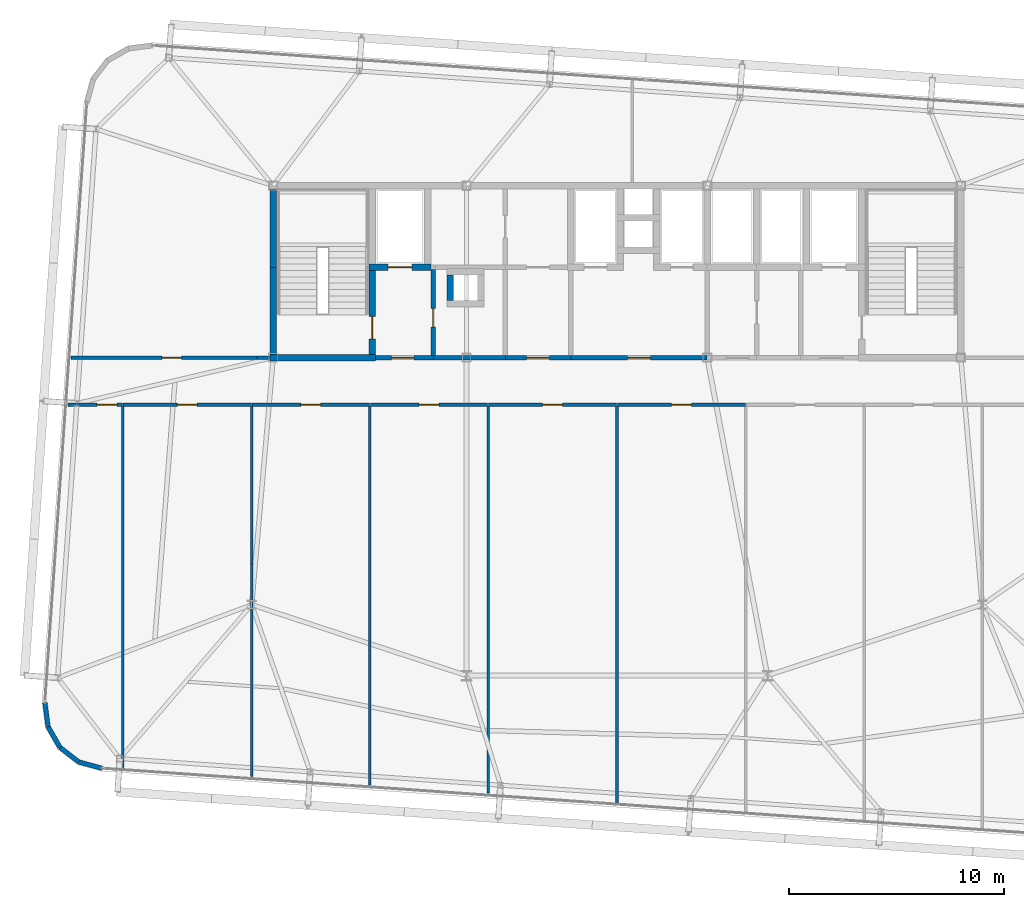
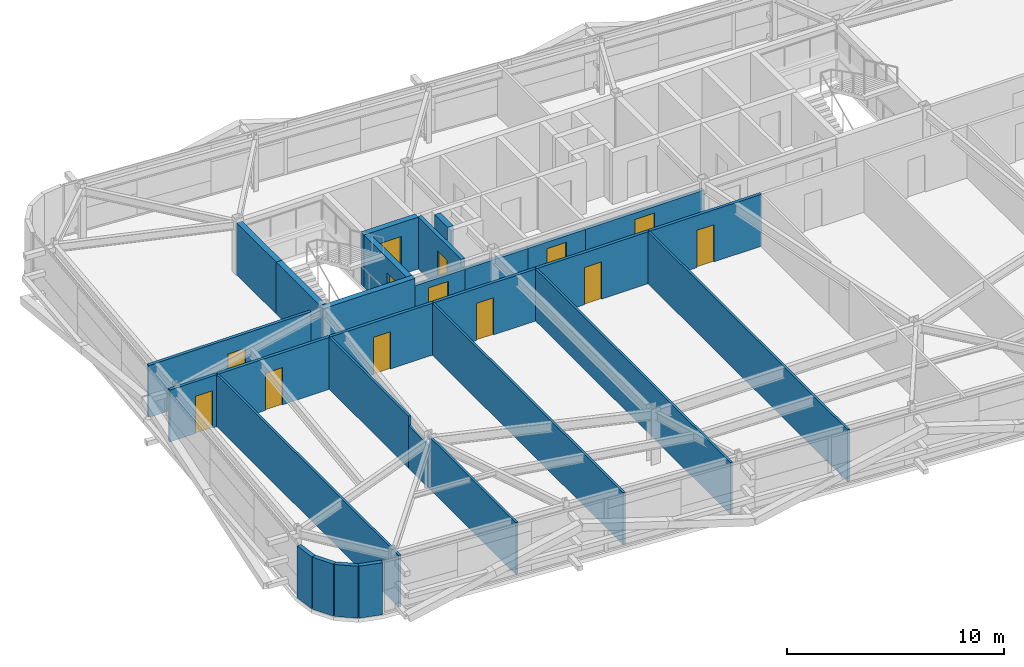
# One storey, part 35 of 39: 30 walls, 13 doors, 13 openings.
"""IFC4 building model written with IfcOpenShell, lengths in metres."""

import ifcopenshell
import ifcopenshell.guid

model = None  # the IFC model being written
_history = None  # IfcOwnerHistory: only IFC2X3 demands one
_inside = {}  # id of a spatial element -> (the spatial element, [elements in it])
_under = {}  # id of a project, library or spatial element -> (it, [spatial elements below it])
_declared = {}  # id of a project -> (the project, [libraries it declares])
_typed = {}  # id of a type object -> (the type object, [elements of that type])
_made_of = {}  # id of a material, layer set ... -> (it, [elements and type objects made of it])


def new_model(schema):
    """Start an empty IFC model of exactly this schema.

    Asked for "IFC4X3", IfcOpenShell would pick the latest addendum, in which some entities
    have other attributes; the version numbers below select the first issue.
    IFC2X3 requires an IfcOwnerHistory on every rooted entity: one is made here for all.
    """
    global model, _history
    if schema == "IFC4X3":
        model = ifcopenshell.file(schema_version=(4, 3, 0, 0))
    else:
        model = ifcopenshell.file(schema=schema)
    _inside.clear()
    _under.clear()
    _declared.clear()
    _typed.clear()
    _made_of.clear()
    _history = None
    if model.schema == "IFC2X3":
        org = make("IfcOrganization", Name="unknown")
        user = make(
            "IfcPersonAndOrganization",
            ThePerson=make("IfcPerson", FamilyName="unknown"),
            TheOrganization=org,
        )
        app = make(
            "IfcApplication",
            ApplicationDeveloper=org,
            Version="unknown",
            ApplicationFullName="unknown",
            ApplicationIdentifier="unknown",
        )
        _history = make(
            "IfcOwnerHistory",
            OwningUser=user,
            OwningApplication=app,
            ChangeAction="ADDED",
            CreationDate=0,
        )
    return model


def make(cls, **values):
    """One entity of the class cls with the attributes given. An attribute that is None is left unset."""
    return model.create_entity(
        cls, **{name: value for name, value in values.items() if value is not None}
    )


def rooted(cls, **values):
    """An entity with a GlobalId (a new one), such as an element, a storey or a relation."""
    return make(cls, GlobalId=ifcopenshell.guid.new(), OwnerHistory=_history, **values)


def si_unit(unit_type, name, prefix=None):
    """IfcSIUnit, for example si_unit("LENGTHUNIT", "METRE", prefix="MILLI")."""
    return make("IfcSIUnit", UnitType=unit_type, Prefix=prefix, Name=name)


def assignment(units):
    """IfcUnitAssignment: the units of a project."""
    return None if units is None else make("IfcUnitAssignment", Units=units)


def point(xyz):
    """IfcCartesianPoint."""
    return None if xyz is None else make("IfcCartesianPoint", Coordinates=xyz)


def direction(xyz):
    """IfcDirection."""
    return None if xyz is None else make("IfcDirection", DirectionRatios=xyz)


def frame(location, z_axis=None, x_axis=None):
    """IfcAxis2Placement3D, a coordinate frame: its origin and axes. An axis left out is left unset."""
    return make(
        "IfcAxis2Placement3D",
        Location=point(location),
        Axis=direction(z_axis),
        RefDirection=direction(x_axis),
    )


def frame_2d(location, x_axis=None):
    """IfcAxis2Placement2D, a coordinate frame in the plane: its origin and x axis."""
    return make(
        "IfcAxis2Placement2D", Location=point(location), RefDirection=direction(x_axis)
    )


def origin():
    """The frame at (0, 0, 0) with its axes left unset."""
    return frame((0.0, 0.0, 0.0))


def place(relative_to, where):
    """IfcLocalPlacement: puts the frame where relative to a parent placement (None: the world)."""
    return make(
        "IfcLocalPlacement", PlacementRelTo=relative_to, RelativePlacement=where
    )


def context(
    kind, dimensions, precision=None, world=None, true_north=None, identifier=None
):
    """IfcGeometricRepresentationContext, for example the 3D "Model" context."""
    return make(
        "IfcGeometricRepresentationContext",
        ContextIdentifier=identifier,
        ContextType=kind,
        CoordinateSpaceDimension=dimensions,
        Precision=precision,
        WorldCoordinateSystem=world,
        TrueNorth=true_north,
    )


def subcontext(parent, identifier, kind, view, scale=None):
    """IfcGeometricRepresentationSubContext, for example "Body" below "Model"."""
    return make(
        "IfcGeometricRepresentationSubContext",
        ContextIdentifier=identifier,
        ContextType=kind,
        ParentContext=parent,
        TargetScale=scale,
        TargetView=view,
    )


def project(units=None, contexts=None):
    """IfcProject with its units and contexts."""
    return rooted(
        "IfcProject",
        Name="project",
        RepresentationContexts=contexts,
        UnitsInContext=assignment(units),
    )


def spatial(cls, under=None, at=None, **own):
    """A site, building, storey or space (cls), placed at a placement, below another one or the project."""
    s = rooted(cls, ObjectPlacement=at, **own)
    if under is not None:
        _under.setdefault(under.id(), (under, []))[1].append(s)
    return s


def profile(cls, at=None, kind="AREA", **sizes):
    """A parametric profile (cls). Its sizes go by their IFC names, for example OverallWidth=200.0."""
    return make(cls, ProfileType=kind, Position=at, **sizes)


def rectangle(**sizes):
    """IfcRectangleProfileDef."""
    return profile("IfcRectangleProfileDef", **sizes)


def extrude(swept, where, along, depth):
    """IfcExtrudedAreaSolid: the profile swept, set in the frame where, extruded along a direction by depth."""
    return make(
        "IfcExtrudedAreaSolid",
        SweptArea=swept,
        Position=where,
        ExtrudedDirection=direction(along),
        Depth=depth,
    )


def shape(context_of_items, identifier, shape_type, items):
    """IfcShapeRepresentation: the items that make up one representation, for example the "Body"."""
    return make(
        "IfcShapeRepresentation",
        ContextOfItems=context_of_items,
        RepresentationIdentifier=identifier,
        RepresentationType=shape_type,
        Items=items,
    )


def source(mapping_origin, context_of_items, identifier, shape_type, items):
    """IfcRepresentationMap: a shape defined once, which mapped items show again and again."""
    return make(
        "IfcRepresentationMap",
        MappingOrigin=mapping_origin,
        MappedRepresentation=shape(context_of_items, identifier, shape_type, items),
    )


def transform(
    local_origin,
    x_axis=None,
    y_axis=None,
    z_axis=None,
    scale=None,
    scale2=None,
    scale3=None,
    uniform=True,
):
    """IfcCartesianTransformationOperator3D, or its non-uniform kind. x_axis, y_axis, z_axis: its Axis1, 2, 3."""
    if uniform:
        return make(
            "IfcCartesianTransformationOperator3D",
            Axis1=direction(x_axis),
            Axis2=direction(y_axis),
            LocalOrigin=point(local_origin),
            Scale=scale,
            Axis3=direction(z_axis),
        )
    return make(
        "IfcCartesianTransformationOperator3DnonUniform",
        Axis1=direction(x_axis),
        Axis2=direction(y_axis),
        LocalOrigin=point(local_origin),
        Scale=scale,
        Axis3=direction(z_axis),
        Scale2=scale2,
        Scale3=scale3,
    )


def mapped(mapping_source, mapping_target):
    """IfcMappedItem: shows the shape of a source again, moved by a transform."""
    return make(
        "IfcMappedItem", MappingSource=mapping_source, MappingTarget=mapping_target
    )


def material(Name=None, Category=None):
    """IfcMaterial."""
    return make("IfcMaterial", Name=Name, Category=Category)


def layer(
    of_material, thickness, ventilated=None, Name=None, Category=None, Priority=None
):
    """IfcMaterialLayer: one layer of a wall or slab, of a material (None: an air gap)."""
    return make(
        "IfcMaterialLayer",
        Material=of_material,
        LayerThickness=thickness,
        IsVentilated=ventilated,
        Name=Name,
        Category=Category,
        Priority=Priority,
    )


def layer_set(layers, Name=None):
    """IfcMaterialLayerSet."""
    return make("IfcMaterialLayerSet", MaterialLayers=layers, LayerSetName=Name)


def made_of(thing, what):
    """Note that an element or type object is made of a material, layer set ...; save() writes the relation."""
    if what is not None:
        _made_of.setdefault(what.id(), (what, []))[1].append(thing)
    return thing


def type_object(cls, material=None, **own):
    """A type object (cls), such as IfcWallType, which elements share."""
    return made_of(rooted(cls, **own), material)


def element(
    cls,
    number,
    at=None,
    inside=None,
    cuts=None,
    type_object=None,
    material=None,
    context=None,
    identifier="Body",
    shape_type=None,
    held_by="IfcProductDefinitionShape",
    body=None,
    shapes=None,
    **own,
):
    """One element of the class cls, such as IfcWall. Its Tag is "e" and its number.

    at: its placement. inside: the storey or other place that contains it. cuts: it is an
    opening in that element (IfcRelVoidsElement). A single representation is given by context,
    identifier, shape_type and body (its items); several are given by shapes. held_by: the class
    of the entity that holds the representations. save() writes the other relations.
    """
    e = rooted(cls, Tag="e%d" % number, ObjectPlacement=at, **own)
    if body is not None:
        shapes = [shape(context, identifier, shape_type, body)]
    if shapes is not None:
        e.Representation = make(held_by, Representations=shapes)
    if inside is not None:
        _inside.setdefault(inside.id(), (inside, []))[1].append(e)
    if cuts is not None:
        rooted(
            "IfcRelVoidsElement", RelatingBuildingElement=cuts, RelatedOpeningElement=e
        )
    if type_object is not None:
        _typed.setdefault(type_object.id(), (type_object, []))[1].append(e)
    return made_of(e, material)


def fill(opening, filler):
    """IfcRelFillsElement: the door or window that sits in an opening."""
    return rooted(
        "IfcRelFillsElement",
        RelatingOpeningElement=opening,
        RelatedBuildingElement=filler,
    )


def aggregate(whole, parts):
    """IfcRelAggregates: a whole, such as a stair, and the parts it consists of."""
    return rooted("IfcRelAggregates", RelatingObject=whole, RelatedObjects=parts)


def save(model, path):
    """Write the relations noted so far, then the file.

    IfcRelAggregates (storeys below a building ...), IfcRelContainedInSpatialStructure (elements
    in a storey), IfcRelDefinesByType, IfcRelAssociatesMaterial and IfcRelDeclares: one each for
    every whole, place, type object, material and project.
    """
    for whole, parts in _under.values():
        aggregate(whole, parts)
    for where, things in _inside.values():
        rooted(
            "IfcRelContainedInSpatialStructure",
            RelatedElements=things,
            RelatingStructure=where,
        )
    for kind, things in _typed.values():
        rooted("IfcRelDefinesByType", RelatedObjects=things, RelatingType=kind)
    for what, things in _made_of.values():
        rooted("IfcRelAssociatesMaterial", RelatedObjects=things, RelatingMaterial=what)
    for by, libraries in _declared.values():
        rooted("IfcRelDeclares", RelatingContext=by, RelatedDefinitions=libraries)
    model.write(path)


model = new_model("IFC4")

# Units and contexts
model_context = context("Model", 3, precision=1e-05, world=origin(), true_north=direction((0.0, 1.0)))
body_context = subcontext(model_context, "Body", "Model", "MODEL_VIEW")
ifc_project = project(units=[si_unit("LENGTHUNIT", "METRE"), si_unit("AREAUNIT", "SQUARE_METRE"), si_unit("VOLUMEUNIT", "CUBIC_METRE"), si_unit("PLANEANGLEUNIT", "RADIAN"), si_unit("MASSUNIT", "GRAM", prefix="KILO")], contexts=[model_context])

# Site, building, storey
site_placement = place(None, origin())
site = spatial("IfcSite", under=ifc_project, at=site_placement, CompositionType="ELEMENT")
building_placement = place(site_placement, origin())
building = spatial("IfcBuilding", under=site, at=building_placement, Name="Taldren Reach Tower", CompositionType="ELEMENT")
storey_placement = place(building_placement, frame((0.0, 0.0, 120.39990234375)))
storey = spatial("IfcBuildingStorey", under=building, at=storey_placement, Name="L36", CompositionType="ELEMENT", Elevation=120.39990234375)

# Walls
ifc_material_1 = material(Name="Pale Champagne Anodised Aluminium Cladding", Category="aluminium")
ifc_layer_1 = layer(ifc_material_1, 0.04, Name="Pale Champagne Anodised Aluminium Cladding", Category="aluminium")
ifc_material_2 = material(Name="Mineral Wool Acoustic Insulation", Category="insulation")
ifc_layer_2 = layer(ifc_material_2, 0.06, Name="Mineral Wool Acoustic Insulation", Category="insulation")
ifc_material_3 = material(Name="Steel Gr 350 (C350L0)", Category="steel")
ifc_layer_3 = layer(ifc_material_3, 0.12, Name="Steel Gr 350 (C350L0)", Category="steel")
ifc_layer_set_1 = layer_set([ifc_layer_1, ifc_layer_2, ifc_layer_3], Name="Pale Champagne Aluminium Cladding and Steel Gr 350 Stud Framing")
wall_type_1 = type_object("IfcWallType", Name="EW-CRN-220", PredefinedType="SOLIDWALL", material=ifc_layer_set_1)
shared_shape_1 = source(origin(), body_context, "Body", "SweptSolid", [
    extrude(rectangle(XDim=1.115966796875, YDim=0.219970703125, at=frame_2d((0.55810546875, 0.0))), origin(), (0.0, 0.0, 1.0), 2.93017578125),
])
for number, where, z_axis, x_axis, name in (
    (1, (8.37646484375, 7.93798828125, 0.0), (0.0, 0.0, 1.0), (0.126242535829, -0.991999406324, 0.0), "Rounded-corner pale-metal facade wall L36-SW1"),
    (2, (8.517333984375, 6.8310546875, 0.0), (0.0, 0.0, 1.0), (0.496138938357, -0.868243142124, 0.0), "Rounded-corner pale-metal facade wall L36-SW2"),
    (3, (9.071044921875, 5.862060546875, 0.0), (0.0, 0.0, 1.0), (0.790716874741, -0.612182018684, 0.0), "Rounded-corner pale-metal facade wall L36-SW3"),
    (4, (9.953369140625, 5.178955078125, 0.0), (0.0, 0.0, 1.0), (0.964804199372, -0.262969307856, 0.0), "Rounded-corner pale-metal facade wall L36-SW4"),
):
    element("IfcWall", number, at=place(storey_placement, frame(where, z_axis=z_axis, x_axis=x_axis)), inside=storey, type_object=wall_type_1, Name=name, PredefinedType="SOLIDWALL", context=body_context, shape_type="MappedRepresentation", body=[
        mapped(shared_shape_1, transform((0.0, 0.0, 0.0), scale=1.0)),
    ])

# Wall, opening, door
ifc_material_4 = material(Name="Fire-Rated Acoustic Plasterboard Stud Wall", Category="gypsum")
ifc_layer_4 = layer(ifc_material_4, 0.159912109375)
ifc_layer_set_2 = layer_set([ifc_layer_4], Name="Fire-Rated Acoustic Plasterboard Stud Wall")
wall_type_2 = type_object("IfcWallType", Name="IW-FIRE-160", PredefinedType="PARTITIONING", material=ifc_layer_set_2)
shared_shape_2 = source(origin(), body_context, "Body", "SweptSolid", [
    extrude(rectangle(XDim=5.95947265625, YDim=0.159912109375, at=frame_2d((2.979736328125, 0.0))), origin(), (0.0, 0.0, 1.0), 2.93017578125),
])
wall_1_placement = place(storey_placement, frame((17.979736328125, 21.800048828125, 0.0), z_axis=(0.0, 0.0, 1.0), x_axis=(-1.0, 0.0, 0.0)))
wall_1 = element("IfcWall", 5, at=wall_1_placement, inside=storey, type_object=wall_type_2, Name="Interior Partition Wall W-INT-L36-047", PredefinedType="PARTITIONING", context=body_context, shape_type="MappedRepresentation", body=[
    mapped(shared_shape_2, transform((0.0, 0.0, 0.0), scale=1.0)),
])
shared_shape_3 = source(origin(), body_context, "Body", "SweptSolid", [
    extrude(rectangle(XDim=0.919921875, YDim=2.10009765625, at=frame_2d((0.4599609375, 1.050048828125))), frame((0.0, 0.08984375, 0.0), z_axis=(0.0, -1.0, 0.0), x_axis=(1.0, 0.0, 0.0)), (0.0, 0.0, 1.0), 0.179931640625),
])
opening_1_placement = place(wall_1_placement, frame((2.519775390625, 0.0, 0.0)))
opening_1 = element("IfcOpeningElement", 6, at=opening_1_placement, cuts=wall_1, Name="Opening DI-092", PredefinedType="OPENING", context=body_context, shape_type="MappedRepresentation", body=[
    mapped(shared_shape_3, transform((0.0, 0.0, 0.0), scale=1.0)),
])
ifc_material_5 = material(Name="Solid-Core Timber Suite Door", Category="wood")
door_type_1 = type_object("IfcDoorType", Name="ID-INT-092", OperationType="NOTDEFINED", PredefinedType="DOOR", material=ifc_material_5)
shared_shape_4 = source(origin(), body_context, "Body", "SweptSolid", [
    extrude(rectangle(XDim=0.919921875, YDim=2.10009765625, at=frame_2d((0.4599609375, 1.050048828125))), frame((0.0, 0.02490234375, 0.0), z_axis=(0.0, -1.0, 0.0), x_axis=(1.0, 0.0, 0.0)), (0.0, 0.0, 1.0), 0.050048828125),
])
door_1_placement = place(opening_1_placement, origin())
door_1 = element("IfcDoor", 7, at=door_1_placement, inside=storey, type_object=door_type_1, Name="Interior Door DR-L36-012", OperationType="SINGLE_SWING_LEFT", OverallHeight=2.10009765625, OverallWidth=0.919921875, PredefinedType="DOOR", context=body_context, shape_type="MappedRepresentation", body=[
    mapped(shared_shape_4, transform((0.0, 0.0, 0.0), scale=1.0)),
])
fill(opening_1, door_1)

wall_2_placement = place(storey_placement, frame((34.979736328125, 21.800048828125, 0.0), z_axis=(0.0, 0.0, 1.0), x_axis=(-1.0, 0.0, 0.0)))
wall_2 = element("IfcWall", 8, at=wall_2_placement, inside=storey, type_object=wall_type_2, Name="Interior Partition Wall W-INT-L36-050", PredefinedType="PARTITIONING", context=body_context, shape_type="MappedRepresentation", body=[
    mapped(shared_shape_2, transform((0.0, 0.0, 0.0), scale=1.0)),
])
opening_2_placement = place(wall_2_placement, frame((2.519775390625, 0.0, 0.0)))
opening_2 = element("IfcOpeningElement", 9, at=opening_2_placement, cuts=wall_2, Name="Opening DI-092", PredefinedType="OPENING", context=body_context, shape_type="MappedRepresentation", body=[
    mapped(shared_shape_3, transform((0.0, 0.0, 0.0), scale=1.0)),
])
door_2_placement = place(opening_2_placement, origin())
door_2 = element("IfcDoor", 10, at=door_2_placement, inside=storey, type_object=door_type_1, Name="Interior Door DR-L36-015", OperationType="SINGLE_SWING_RIGHT", OverallHeight=2.10009765625, OverallWidth=0.919921875, PredefinedType="DOOR", context=body_context, shape_type="MappedRepresentation", body=[
    mapped(shared_shape_4, transform((0.0, 0.0, 0.0), scale=1.0)),
])
fill(opening_2, door_2)

wall_3_placement = place(storey_placement, frame((40.979736328125, 21.800048828125, 0.0), z_axis=(0.0, 0.0, 1.0), x_axis=(-1.0, 0.0, 0.0)))
wall_3 = element("IfcWall", 11, at=wall_3_placement, inside=storey, type_object=wall_type_2, Name="Interior Partition Wall W-INT-L36-051", PredefinedType="PARTITIONING", context=body_context, shape_type="MappedRepresentation", body=[
    mapped(shared_shape_2, transform((0.0, 0.0, 0.0), scale=1.0)),
])
opening_3_placement = place(wall_3_placement, frame((2.519775390625, 0.0, 0.0)))
opening_3 = element("IfcOpeningElement", 12, at=opening_3_placement, cuts=wall_3, Name="Opening DI-092", PredefinedType="OPENING", context=body_context, shape_type="MappedRepresentation", body=[
    mapped(shared_shape_3, transform((0.0, 0.0, 0.0), scale=1.0)),
])
door_3_placement = place(opening_3_placement, origin())
door_3 = element("IfcDoor", 13, at=door_3_placement, inside=storey, type_object=door_type_1, Name="Interior Door DR-L36-016", OperationType="SINGLE_SWING_LEFT", OverallHeight=2.10009765625, OverallWidth=0.919921875, PredefinedType="DOOR", context=body_context, shape_type="MappedRepresentation", body=[
    mapped(shared_shape_4, transform((0.0, 0.0, 0.0), scale=1.0)),
])
fill(opening_3, door_3)

# Walls
ifc_material_6 = material(Name="Concrete S65 (65 MPa)", Category="concrete")
ifc_layer_5 = layer(ifc_material_6, 0.300048828125)
ifc_layer_set_3 = layer_set([ifc_layer_5], Name="Concrete S65 (65 MPa)")
wall_type_3 = type_object("IfcWallType", Name="IW-CORE-300", PredefinedType="SHEAR", material=ifc_layer_set_3)
shared_shape_5 = source(origin(), body_context, "Body", "SweptSolid", [
    extrude(rectangle(XDim=4.050048828125, YDim=0.300048828125, at=frame_2d((2.02490234375, 0.0))), origin(), (0.0, 0.0, 1.0), 2.93017578125),
])
wall_4_placement = place(storey_placement, frame((19.0, 24.14990234375, 0.0), z_axis=(0.0, 0.0, 1.0), x_axis=(0.0, 1.0, 0.0)))
element("IfcWall", 14, at=wall_4_placement, inside=storey, type_object=wall_type_3, Name="Rear Core Shear Wall W-CORE-L36-WEST1", PredefinedType="SHEAR", context=body_context, shape_type="MappedRepresentation", body=[
    mapped(shared_shape_5, transform((0.0, 0.0, 0.0), scale=1.0)),
])
shared_shape_6 = source(origin(), body_context, "Body", "SweptSolid", [
    extrude(rectangle(XDim=3.650146484375, YDim=0.300048828125, at=frame_2d((1.8251953125, 0.0))), origin(), (0.0, 0.0, 1.0), 2.93017578125),
])
wall_5_placement = place(storey_placement, frame((19.0, 28.199951171875, 0.0), z_axis=(0.0, 0.0, 1.0), x_axis=(0.0, 1.0, 0.0)))
element("IfcWall", 15, at=wall_5_placement, inside=storey, type_object=wall_type_3, Name="Rear Core Shear Wall W-CORE-L36-WEST2", PredefinedType="SHEAR", context=body_context, shape_type="MappedRepresentation", body=[
    mapped(shared_shape_6, transform((0.0, 0.0, 0.0), scale=1.0)),
])

# Wall, opening, door
shared_shape_7 = source(origin(), body_context, "Body", "SweptSolid", [
    extrude(rectangle(XDim=3.900146484375, YDim=0.300048828125, at=frame_2d((1.9501953125, 0.0))), origin(), (0.0, 0.0, 1.0), 2.93017578125),
])
wall_6_placement = place(storey_placement, frame((23.60009765625, 24.14990234375, 0.0), z_axis=(0.0, 0.0, 1.0), x_axis=(0.0, 1.0, 0.0)))
wall_6 = element("IfcWall", 16, at=wall_6_placement, inside=storey, type_object=wall_type_3, Name="Rear Core Shear Wall W-INT-L36-002", PredefinedType="SHEAR", context=body_context, shape_type="MappedRepresentation", body=[
    mapped(shared_shape_7, transform((0.0, 0.0, 0.0), scale=1.0)),
])
shared_shape_8 = source(origin(), body_context, "Body", "SweptSolid", [
    extrude(rectangle(XDim=1.050048828125, YDim=2.10009765625, at=frame_2d((0.52490234375, 1.050048828125))), frame((0.0, 0.16015625, 0.0), z_axis=(0.0, -1.0, 0.0), x_axis=(1.0, 0.0, 0.0)), (0.0, 0.0, 1.0), 0.320068359375),
])
opening_4_placement = place(wall_6_placement, frame((0.72509765625, 0.0, 0.0)))
opening_4 = element("IfcOpeningElement", 17, at=opening_4_placement, cuts=wall_6, Name="Opening DF-105", PredefinedType="OPENING", context=body_context, shape_type="MappedRepresentation", body=[
    mapped(shared_shape_8, transform((0.0, 0.0, 0.0), scale=1.0)),
])
ifc_material_7 = material(Name="Fire-Rated Care and Stair Exit Door")
door_type_2 = type_object("IfcDoorType", Name="ID-FIRE-105", OperationType="NOTDEFINED", PredefinedType="DOOR", material=ifc_material_7)
shared_shape_9 = source(origin(), body_context, "Body", "SweptSolid", [
    extrude(rectangle(XDim=1.050048828125, YDim=2.10009765625, at=frame_2d((0.52490234375, 1.050048828125))), frame((0.0, 0.02490234375, 0.0), z_axis=(0.0, -1.0, 0.0), x_axis=(1.0, 0.0, 0.0)), (0.0, 0.0, 1.0), 0.050048828125),
])
door_4_placement = place(opening_4_placement, origin())
door_4 = element("IfcDoor", 18, at=door_4_placement, inside=storey, type_object=door_type_2, Name="Fire Exit Stair Door DR-L36-001", OperationType="SINGLE_SWING_LEFT", OverallHeight=2.10009765625, OverallWidth=1.050048828125, PredefinedType="DOOR", context=body_context, shape_type="MappedRepresentation", body=[
    mapped(shared_shape_9, transform((0.0, 0.0, 0.0), scale=1.0)),
])
fill(opening_4, door_4)

# Wall
shared_shape_10 = source(origin(), body_context, "Body", "SweptSolid", [
    extrude(rectangle(XDim=4.89990234375, YDim=0.300048828125, at=frame_2d((2.449951171875, 0.0))), origin(), (0.0, 0.0, 1.0), 2.93017578125),
])
wall_7_placement = place(storey_placement, frame((18.85009765625, 24.0, 0.0), z_axis=(0.0, 0.0, 1.0), x_axis=(1.0, 0.0, 0.0)))
element("IfcWall", 19, at=wall_7_placement, inside=storey, type_object=wall_type_3, Name="Rear Core Shear Wall W-INT-L36-003", PredefinedType="SHEAR", context=body_context, shape_type="MappedRepresentation", body=[
    mapped(shared_shape_10, transform((0.0, 0.0, 0.0), scale=1.0)),
])

# Wall, opening, door
shared_shape_11 = source(origin(), body_context, "Body", "SweptSolid", [
    extrude(rectangle(XDim=2.900146484375, YDim=0.300048828125, at=frame_2d((1.4501953125, 0.0))), origin(), (0.0, 0.0, 1.0), 2.93017578125),
])
wall_8_placement = place(storey_placement, frame((23.449951171875, 28.199951171875, 0.0), z_axis=(0.0, 0.0, 1.0), x_axis=(1.0, 0.0, 0.0)))
wall_8 = element("IfcWall", 20, at=wall_8_placement, inside=storey, type_object=wall_type_3, Name="Rear Core Shear Wall W-INT-L36-004", PredefinedType="SHEAR", context=body_context, shape_type="MappedRepresentation", body=[
    mapped(shared_shape_11, transform((0.0, 0.0, 0.0), scale=1.0)),
])
shared_shape_12 = source(origin(), body_context, "Body", "SweptSolid", [
    extrude(rectangle(XDim=1.10009765625, YDim=2.14990234375, at=frame_2d((0.550048828125, 1.074951171875))), frame((0.0, 0.16015625, 0.0), z_axis=(0.0, -1.0, 0.0), x_axis=(1.0, 0.0, 0.0)), (0.0, 0.0, 1.0), 0.320068359375),
])
opening_5_placement = place(wall_8_placement, frame((0.89990234375, 0.0, 0.0)))
opening_5 = element("IfcOpeningElement", 21, at=opening_5_placement, cuts=wall_8, Name="Opening LD-FL1", PredefinedType="OPENING", context=body_context, shape_type="MappedRepresentation", body=[
    mapped(shared_shape_12, transform((0.0, 0.0, 0.0), scale=1.0)),
])
ifc_material_8 = material(Name="Stainless Steel Gr 316 Emergency Lift Landing Door", Category="steel")
door_type_3 = type_object("IfcDoorType", Name="LD-EMG-110", OperationType="SLIDING_TO_LEFT", PredefinedType="DOOR", material=ifc_material_8)
shared_shape_13 = source(origin(), body_context, "Body", "SweptSolid", [
    extrude(rectangle(XDim=1.10009765625, YDim=2.14990234375, at=frame_2d((0.550048828125, 1.074951171875))), frame((0.0, 0.02490234375, 0.0), z_axis=(0.0, -1.0, 0.0), x_axis=(1.0, 0.0, 0.0)), (0.0, 0.0, 1.0), 0.050048828125),
])
door_5_placement = place(opening_5_placement, origin())
door_5 = element("IfcDoor", 22, at=door_5_placement, inside=storey, type_object=door_type_3, Name="Lift Landing Door LD-FL1-L36", OperationType="SLIDING_TO_LEFT", OverallHeight=2.14990234375, OverallWidth=1.10009765625, PredefinedType="DOOR", context=body_context, shape_type="MappedRepresentation", body=[
    mapped(shared_shape_13, transform((0.0, 0.0, 0.0), scale=1.0)),
])
fill(opening_5, door_5)

ifc_material_9 = material(Name="Concrete S50 (50 MPa)", Category="concrete")
ifc_layer_6 = layer(ifc_material_9, 0.199951171875)
ifc_layer_set_4 = layer_set([ifc_layer_6], Name="Concrete S50 (50 MPa)")
wall_type_4 = type_object("IfcWallType", Name="IW-CORE-200", PredefinedType="SOLIDWALL", material=ifc_layer_set_4)
shared_shape_14 = source(origin(), body_context, "Body", "SweptSolid", [
    extrude(rectangle(XDim=2.699951171875, YDim=0.199951171875, at=frame_2d((1.35009765625, 0.0))), origin(), (0.0, 0.0, 1.0), 2.47021484375),
])
wall_9_placement = place(storey_placement, frame((23.75, 24.0, 0.0), z_axis=(0.0, 0.0, 1.0), x_axis=(1.0, 0.0, 0.0)))
wall_9 = element("IfcWall", 23, at=wall_9_placement, inside=storey, type_object=wall_type_4, Name="Rear Core Shear Wall W-INT-L36-007", PredefinedType="SOLIDWALL", context=body_context, shape_type="MappedRepresentation", body=[
    mapped(shared_shape_14, transform((0.0, 0.0, 0.0), scale=1.0)),
])
shared_shape_15 = source(origin(), body_context, "Body", "SweptSolid", [
    extrude(rectangle(XDim=1.050048828125, YDim=2.10009765625, at=frame_2d((0.52490234375, 1.050048828125))), frame((0.0, 0.10986328125, 0.0), z_axis=(0.0, -1.0, 0.0), x_axis=(1.0, 0.0, 0.0)), (0.0, 0.0, 1.0), 0.219970703125),
])
opening_6_placement = place(wall_9_placement, frame((0.75, 0.0, 0.0)))
opening_6 = element("IfcOpeningElement", 24, at=opening_6_placement, cuts=wall_9, Name="Opening DF-105", PredefinedType="OPENING", context=body_context, shape_type="MappedRepresentation", body=[
    mapped(shared_shape_15, transform((0.0, 0.0, 0.0), scale=1.0)),
])
door_6_placement = place(opening_6_placement, origin())
door_6 = element("IfcDoor", 25, at=door_6_placement, inside=storey, type_object=door_type_2, Name="Interior Door DR-L36-002", OperationType="SINGLE_SWING_LEFT", OverallHeight=2.10009765625, OverallWidth=1.050048828125, PredefinedType="DOOR", context=body_context, shape_type="MappedRepresentation", body=[
    mapped(shared_shape_9, transform((0.0, 0.0, 0.0), scale=1.0)),
])
fill(opening_6, door_6)

# Wall
shared_shape_16 = source(origin(), body_context, "Body", "SweptSolid", [
    extrude(rectangle(XDim=1.2001953125, YDim=0.300048828125, at=frame_2d((0.60009765625, 0.0))), origin(), (0.0, 0.0, 1.0), 2.93017578125),
])
wall_10_placement = place(storey_placement, frame((27.25, 27.85009765625, 0.0), z_axis=(0.0, 0.0, 1.0), x_axis=(0.0, -1.0, 0.0)))
element("IfcWall", 26, at=wall_10_placement, inside=storey, type_object=wall_type_3, Name="Rear Core Shear Wall W-INT-L36-022", PredefinedType="SHEAR", context=body_context, shape_type="MappedRepresentation", body=[
    mapped(shared_shape_16, transform((0.0, 0.0, 0.0), scale=1.0)),
])

# Wall, opening, door
shared_shape_17 = source(origin(), body_context, "Body", "SweptSolid", [
    extrude(rectangle(XDim=4.0, YDim=0.199951171875, at=frame_2d((2.0, 0.0))), origin(), (0.0, 0.0, 1.0), 2.93017578125),
])
wall_11_placement = place(storey_placement, frame((26.449951171875, 24.10009765625, 0.0), z_axis=(0.0, 0.0, 1.0), x_axis=(0.0, 1.0, 0.0)))
wall_11 = element("IfcWall", 27, at=wall_11_placement, inside=storey, type_object=wall_type_4, Name="Rear Core Shear Wall W-INT-L36-006", PredefinedType="SOLIDWALL", context=body_context, shape_type="MappedRepresentation", body=[
    mapped(shared_shape_17, transform((0.0, 0.0, 0.0), scale=1.0)),
])
shared_shape_18 = source(origin(), body_context, "Body", "SweptSolid", [
    extrude(rectangle(XDim=0.860107421875, YDim=2.10009765625, at=frame_2d((0.43017578125, 1.050048828125))), frame((0.0, 0.10986328125, 0.0), z_axis=(0.0, -1.0, 0.0), x_axis=(1.0, 0.0, 0.0)), (0.0, 0.0, 1.0), 0.219970703125),
])
opening_7_placement = place(wall_11_placement, frame((1.320068359375, 0.0, 0.0)))
opening_7 = element("IfcOpeningElement", 28, at=opening_7_placement, cuts=wall_11, Name="Opening DI-086", PredefinedType="OPENING", context=body_context, shape_type="MappedRepresentation", body=[
    mapped(shared_shape_18, transform((0.0, 0.0, 0.0), scale=1.0)),
])
ifc_material_10 = material(Name="Timber Bathroom Door", Category="wood")
door_type_4 = type_object("IfcDoorType", Name="ID-INT-086", OperationType="NOTDEFINED", PredefinedType="DOOR", material=ifc_material_10)
shared_shape_19 = source(origin(), body_context, "Body", "SweptSolid", [
    extrude(rectangle(XDim=0.860107421875, YDim=2.10009765625, at=frame_2d((0.43017578125, 1.050048828125))), frame((0.0, 0.02490234375, 0.0), z_axis=(0.0, -1.0, 0.0), x_axis=(1.0, 0.0, 0.0)), (0.0, 0.0, 1.0), 0.050048828125),
])
door_7_placement = place(opening_7_placement, frame((0.860107421875, 0.0, 0.0), z_axis=(0.0, 0.0, 1.0), x_axis=(-1.0, 0.0, 0.0)))
door_7 = element("IfcDoor", 29, at=door_7_placement, inside=storey, type_object=door_type_4, Name="Interior Door DR-L36-023", OperationType="SINGLE_SWING_RIGHT", OverallHeight=2.10009765625, OverallWidth=0.860107421875, PredefinedType="DOOR", context=body_context, shape_type="MappedRepresentation", body=[
    mapped(shared_shape_19, transform((0.0, 0.0, 0.0), scale=1.0)),
])
fill(opening_7, door_7)

shared_shape_20 = source(origin(), body_context, "Body", "SweptSolid", [
    extrude(rectangle(XDim=6.349853515625, YDim=0.199951171875, at=frame_2d((3.1748046875, 0.0))), origin(), (0.0, 0.0, 1.0), 2.47021484375),
])
wall_12_placement = place(storey_placement, frame((39.199951171875, 24.0, 0.0), z_axis=(0.0, 0.0, 1.0), x_axis=(-1.0, 0.0, 0.0)))
wall_12 = element("IfcWall", 30, at=wall_12_placement, inside=storey, type_object=wall_type_4, Name="Rear Core Shear Wall W-INT-L36-033", PredefinedType="SOLIDWALL", context=body_context, shape_type="MappedRepresentation", body=[
    mapped(shared_shape_20, transform((0.0, 0.0, 0.0), scale=1.0)),
])
opening_8_placement = place(wall_12_placement, frame((2.64990234375, 0.0, 0.0)))
opening_8 = element("IfcOpeningElement", 31, at=opening_8_placement, cuts=wall_12, Name="Opening DF-105", PredefinedType="OPENING", context=body_context, shape_type="MappedRepresentation", body=[
    mapped(shared_shape_15, transform((0.0, 0.0, 0.0), scale=1.0)),
])
door_8_placement = place(opening_8_placement, frame((1.050048828125, 0.0, 0.0), z_axis=(0.0, 0.0, 1.0), x_axis=(-1.0, 0.0, 0.0)))
door_8 = element("IfcDoor", 32, at=door_8_placement, inside=storey, type_object=door_type_2, Name="Interior Door DR-L36-005", OperationType="SINGLE_SWING_LEFT", OverallHeight=2.10009765625, OverallWidth=1.050048828125, PredefinedType="DOOR", context=body_context, shape_type="MappedRepresentation", body=[
    mapped(shared_shape_9, transform((0.0, 0.0, 0.0), scale=1.0)),
])
fill(opening_8, door_8)

# Wall
shared_shape_21 = source(origin(), body_context, "Body", "SweptSolid", [
    extrude(rectangle(XDim=3.35009765625, YDim=0.199951171875, at=frame_2d((1.675048828125, 0.0))), origin(), (0.0, 0.0, 1.0), 2.47021484375),
])
wall_13_placement = place(storey_placement, frame((29.800048828125, 24.0, 0.0), z_axis=(0.0, 0.0, 1.0), x_axis=(-1.0, 0.0, 0.0)))
element("IfcWall", 33, at=wall_13_placement, inside=storey, type_object=wall_type_4, Name="Rear Core Shear Wall W-INT-L36-039", PredefinedType="SOLIDWALL", context=body_context, shape_type="MappedRepresentation", body=[
    mapped(shared_shape_21, transform((0.0, 0.0, 0.0), scale=1.0)),
])

# Wall, opening, door
shared_shape_22 = source(origin(), body_context, "Body", "SweptSolid", [
    extrude(rectangle(XDim=3.050048828125, YDim=0.199951171875, at=frame_2d((1.52490234375, 0.0))), origin(), (0.0, 0.0, 1.0), 2.47021484375),
])
wall_14_placement = place(storey_placement, frame((32.85009765625, 24.0, 0.0), z_axis=(0.0, 0.0, 1.0), x_axis=(-1.0, 0.0, 0.0)))
wall_14 = element("IfcWall", 34, at=wall_14_placement, inside=storey, type_object=wall_type_4, Name="Rear Core Shear Wall W-INT-L36-041", PredefinedType="SOLIDWALL", context=body_context, shape_type="MappedRepresentation", body=[
    mapped(shared_shape_22, transform((0.0, 0.0, 0.0), scale=1.0)),
])
opening_9_placement = place(wall_14_placement, frame((1.0, 0.0, 0.0)))
opening_9 = element("IfcOpeningElement", 35, at=opening_9_placement, cuts=wall_14, Name="Opening DF-105", PredefinedType="OPENING", context=body_context, shape_type="MappedRepresentation", body=[
    mapped(shared_shape_15, transform((0.0, 0.0, 0.0), scale=1.0)),
])
door_9_placement = place(opening_9_placement, frame((1.050048828125, 0.0, 0.0), z_axis=(0.0, 0.0, 1.0), x_axis=(-1.0, 0.0, 0.0)))
door_9 = element("IfcDoor", 36, at=door_9_placement, inside=storey, type_object=door_type_2, Name="Interior Door DR-L36-007", OperationType="SINGLE_SWING_LEFT", OverallHeight=2.10009765625, OverallWidth=1.050048828125, PredefinedType="DOOR", context=body_context, shape_type="MappedRepresentation", body=[
    mapped(shared_shape_9, transform((0.0, 0.0, 0.0), scale=1.0)),
])
fill(opening_9, door_9)

shared_shape_23 = source(origin(), body_context, "Body", "SweptSolid", [
    extrude(rectangle(XDim=2.538330078125, YDim=0.159912109375, at=frame_2d((1.26904296875, 0.0))), origin(), (0.0, 0.0, 1.0), 2.93017578125),
])
wall_15_placement = place(storey_placement, frame((11.979736328125, 21.800048828125, 0.0), z_axis=(0.0, 0.0, 1.0), x_axis=(-1.0, 0.0, 0.0)))
wall_15 = element("IfcWall", 37, at=wall_15_placement, inside=storey, type_object=wall_type_2, Name="Interior Partition Wall W-INT-L36-046", PredefinedType="PARTITIONING", context=body_context, shape_type="MappedRepresentation", body=[
    mapped(shared_shape_23, transform((0.0, 0.0, 0.0), scale=1.0)),
])
opening_10_placement = place(wall_15_placement, frame((0.259033203125, 0.0, 0.0)))
opening_10 = element("IfcOpeningElement", 38, at=opening_10_placement, cuts=wall_15, Name="Opening DI-092", PredefinedType="OPENING", context=body_context, shape_type="MappedRepresentation", body=[
    mapped(shared_shape_3, transform((0.0, 0.0, 0.0), scale=1.0)),
])
door_10_placement = place(opening_10_placement, origin())
door_10 = element("IfcDoor", 39, at=door_10_placement, inside=storey, type_object=door_type_1, Name="Interior Door DR-L36-011", OperationType="SINGLE_SWING_LEFT", OverallHeight=2.10009765625, OverallWidth=0.919921875, PredefinedType="DOOR", context=body_context, shape_type="MappedRepresentation", body=[
    mapped(shared_shape_4, transform((0.0, 0.0, 0.0), scale=1.0)),
])
fill(opening_10, door_10)

shared_shape_24 = source(origin(), body_context, "Body", "SweptSolid", [
    extrude(rectangle(XDim=5.45947265625, YDim=0.159912109375, at=frame_2d((2.729736328125, 0.0))), origin(), (0.0, 0.0, 1.0), 2.93017578125),
])
wall_16_placement = place(storey_placement, frame((23.479736328125, 21.800048828125, 0.0), z_axis=(0.0, 0.0, 1.0), x_axis=(-1.0, 0.0, 0.0)))
wall_16 = element("IfcWall", 40, at=wall_16_placement, inside=storey, type_object=wall_type_2, Name="Interior Partition Wall W-INT-L36-048", PredefinedType="PARTITIONING", context=body_context, shape_type="MappedRepresentation", body=[
    mapped(shared_shape_24, transform((0.0, 0.0, 0.0), scale=1.0)),
])
opening_11_placement = place(wall_16_placement, frame((2.269775390625, 0.0, 0.0)))
opening_11 = element("IfcOpeningElement", 41, at=opening_11_placement, cuts=wall_16, Name="Opening DI-092", PredefinedType="OPENING", context=body_context, shape_type="MappedRepresentation", body=[
    mapped(shared_shape_3, transform((0.0, 0.0, 0.0), scale=1.0)),
])
door_11_placement = place(opening_11_placement, origin())
door_11 = element("IfcDoor", 42, at=door_11_placement, inside=storey, type_object=door_type_1, Name="Interior Door DR-L36-013", OperationType="SINGLE_SWING_RIGHT", OverallHeight=2.10009765625, OverallWidth=0.919921875, PredefinedType="DOOR", context=body_context, shape_type="MappedRepresentation", body=[
    mapped(shared_shape_4, transform((0.0, 0.0, 0.0), scale=1.0)),
])
fill(opening_11, door_11)

wall_17_placement = place(storey_placement, frame((28.979736328125, 21.800048828125, 0.0), z_axis=(0.0, 0.0, 1.0), x_axis=(-1.0, 0.0, 0.0)))
wall_17 = element("IfcWall", 43, at=wall_17_placement, inside=storey, type_object=wall_type_2, Name="Interior Partition Wall W-INT-L36-049", PredefinedType="PARTITIONING", context=body_context, shape_type="MappedRepresentation", body=[
    mapped(shared_shape_24, transform((0.0, 0.0, 0.0), scale=1.0)),
])
opening_12_placement = place(wall_17_placement, frame((2.269775390625, 0.0, 0.0)))
opening_12 = element("IfcOpeningElement", 44, at=opening_12_placement, cuts=wall_17, Name="Opening DI-092", PredefinedType="OPENING", context=body_context, shape_type="MappedRepresentation", body=[
    mapped(shared_shape_3, transform((0.0, 0.0, 0.0), scale=1.0)),
])
door_12_placement = place(opening_12_placement, origin())
door_12 = element("IfcDoor", 45, at=door_12_placement, inside=storey, type_object=door_type_1, Name="Interior Door DR-L36-014", OperationType="SINGLE_SWING_LEFT", OverallHeight=2.10009765625, OverallWidth=0.919921875, PredefinedType="DOOR", context=body_context, shape_type="MappedRepresentation", body=[
    mapped(shared_shape_4, transform((0.0, 0.0, 0.0), scale=1.0)),
])
fill(opening_12, door_12)

shared_shape_25 = source(origin(), body_context, "Body", "SweptSolid", [
    extrude(rectangle(XDim=8.65234375, YDim=0.159912109375, at=frame_2d((4.326171875, 0.0))), origin(), (0.0, 0.0, 1.0), 2.93017578125),
])
wall_18_placement = place(storey_placement, frame((9.584228515625, 24.0, 0.0), z_axis=(0.0, 0.0, 1.0), x_axis=(1.0, 0.0, 0.0)))
wall_18 = element("IfcWall", 46, at=wall_18_placement, inside=storey, type_object=wall_type_2, Name="Interior Partition Wall W-INT-L36-056", PredefinedType="PARTITIONING", context=body_context, shape_type="MappedRepresentation", body=[
    mapped(shared_shape_25, transform((0.0, 0.0, 0.0), scale=1.0)),
])
opening_13_placement = place(wall_18_placement, frame((4.23779296875, 0.0, 0.0)))
opening_13 = element("IfcOpeningElement", 47, at=opening_13_placement, cuts=wall_18, Name="Opening DI-092", PredefinedType="OPENING", context=body_context, shape_type="MappedRepresentation", body=[
    mapped(shared_shape_3, transform((0.0, 0.0, 0.0), scale=1.0)),
])
door_13_placement = place(opening_13_placement, origin())
door_13 = element("IfcDoor", 48, at=door_13_placement, inside=storey, type_object=door_type_1, Name="Interior Door DR-L36-021", OperationType="SINGLE_SWING_RIGHT", OverallHeight=2.10009765625, OverallWidth=0.919921875, PredefinedType="DOOR", context=body_context, shape_type="MappedRepresentation", body=[
    mapped(shared_shape_4, transform((0.0, 0.0, 0.0), scale=1.0)),
])
fill(opening_13, door_13)

# Walls
shared_shape_26 = source(origin(), body_context, "Body", "SweptSolid", [
    extrude(rectangle(XDim=0.613525390625, YDim=0.159912109375, at=frame_2d((0.306640625, 0.0))), origin(), (0.0, 0.0, 1.0), 2.47021484375),
])
wall_19_placement = place(storey_placement, frame((18.236572265625, 24.0, 0.0), z_axis=(0.0, 0.0, 1.0), x_axis=(1.0, 0.0, 0.0)))
element("IfcWall", 49, at=wall_19_placement, inside=storey, type_object=wall_type_2, Name="Interior Partition Wall W-INT-L36-056 part 2", PredefinedType="PARTITIONING", context=body_context, shape_type="MappedRepresentation", body=[
    mapped(shared_shape_26, transform((0.0, 0.0, 0.0), scale=1.0)),
])
ifc_material_11 = material(Name="Insulated Residential Stud Partition", Category="gypsum")
ifc_layer_7 = layer(ifc_material_11, 0.1201171875)
ifc_layer_set_5 = layer_set([ifc_layer_7], Name="Insulated Residential Stud Partition")
wall_type_5 = type_object("IfcWallType", Name="IW-PART-120", PredefinedType="PARTITIONING", material=ifc_layer_set_5)
shared_shape_27 = source(origin(), body_context, "Body", "SweptSolid", [
    extrude(rectangle(XDim=16.806640625, YDim=0.1201171875, at=frame_2d((8.4033203125, 0.0))), origin(), (0.0, 0.0, 1.0), 2.93017578125),
])
wall_20_placement = place(storey_placement, frame((12.0, 21.719970703125, 0.0), z_axis=(0.0, 0.0, 1.0), x_axis=(0.0, -1.0, 0.0)))
element("IfcWall", 50, at=wall_20_placement, inside=storey, type_object=wall_type_5, Name="Interior Partition Wall W-INT-L36-058", PredefinedType="PARTITIONING", context=body_context, shape_type="MappedRepresentation", body=[
    mapped(shared_shape_27, transform((0.0, 0.0, 0.0), scale=1.0)),
])
shared_shape_28 = source(origin(), body_context, "Body", "SweptSolid", [
    extrude(rectangle(XDim=7.32373046875, YDim=0.1201171875, at=frame_2d((3.661865234375, 0.0))), origin(), (0.0, 0.0, 1.0), 2.93017578125),
])
wall_21_placement = place(storey_placement, frame((18.0, 21.719970703125, 0.0), z_axis=(0.0, 0.0, 1.0), x_axis=(0.0, -1.0, 0.0)))
element("IfcWall", 51, at=wall_21_placement, inside=storey, type_object=wall_type_5, Name="Interior Partition Wall W-INT-L36-059", PredefinedType="PARTITIONING", context=body_context, shape_type="MappedRepresentation", body=[
    mapped(shared_shape_28, transform((0.0, 0.0, 0.0), scale=1.0)),
])
shared_shape_29 = source(origin(), body_context, "Body", "SweptSolid", [
    extrude(rectangle(XDim=1.9013671875, YDim=0.1201171875, at=frame_2d((0.95068359375, 0.0))), origin(), (0.0, 0.0, 1.0), 2.397216796875),
])
wall_22_placement = place(storey_placement, frame((18.0, 14.396240234375, 0.0), z_axis=(0.0, 0.0, 1.0), x_axis=(0.0, -1.0, 0.0)))
element("IfcWall", 52, at=wall_22_placement, inside=storey, type_object=wall_type_5, Name="Interior Partition Wall W-INT-L36-059 part 2", PredefinedType="PARTITIONING", context=body_context, shape_type="MappedRepresentation", body=[
    mapped(shared_shape_29, transform((0.0, 0.0, 0.0), scale=1.0)),
])
shared_shape_30 = source(origin(), body_context, "Body", "SweptSolid", [
    extrude(rectangle(XDim=8.0009765625, YDim=0.1201171875, at=frame_2d((4.00048828125, 0.0))), origin(), (0.0, 0.0, 1.0), 2.93017578125),
])
wall_23_placement = place(storey_placement, frame((18.0, 12.494873046875, 0.0), z_axis=(0.0, 0.0, 1.0), x_axis=(0.0, -1.0, 0.0)))
element("IfcWall", 53, at=wall_23_placement, inside=storey, type_object=wall_type_5, Name="Interior Partition Wall W-INT-L36-059 part 3", PredefinedType="PARTITIONING", context=body_context, shape_type="MappedRepresentation", body=[
    mapped(shared_shape_30, transform((0.0, 0.0, 0.0), scale=1.0)),
])
shared_shape_31 = source(origin(), body_context, "Body", "SweptSolid", [
    extrude(rectangle(XDim=17.610595703125, YDim=0.1201171875, at=frame_2d((8.80517578125, 0.0))), origin(), (0.0, 0.0, 1.0), 2.93017578125),
])
wall_24_placement = place(storey_placement, frame((23.5, 21.719970703125, 0.0), z_axis=(0.0, 0.0, 1.0), x_axis=(0.0, -1.0, 0.0)))
element("IfcWall", 54, at=wall_24_placement, inside=storey, type_object=wall_type_5, Name="Interior Partition Wall W-INT-L36-060", PredefinedType="PARTITIONING", context=body_context, shape_type="MappedRepresentation", body=[
    mapped(shared_shape_31, transform((0.0, 0.0, 0.0), scale=1.0)),
])
shared_shape_32 = source(origin(), body_context, "Body", "SweptSolid", [
    extrude(rectangle(XDim=17.995361328125, YDim=0.1201171875, at=frame_2d((8.99755859375, 0.0))), origin(), (0.0, 0.0, 1.0), 2.93017578125),
])
wall_25_placement = place(storey_placement, frame((29.0, 21.719970703125, 0.0), z_axis=(0.0, 0.0, 1.0), x_axis=(0.0, -1.0, 0.0)))
element("IfcWall", 55, at=wall_25_placement, inside=storey, type_object=wall_type_5, Name="Interior Partition Wall W-INT-L36-061", PredefinedType="PARTITIONING", context=body_context, shape_type="MappedRepresentation", body=[
    mapped(shared_shape_32, transform((0.0, 0.0, 0.0), scale=1.0)),
])
shared_shape_33 = source(origin(), body_context, "Body", "SweptSolid", [
    extrude(rectangle(XDim=18.414794921875, YDim=0.1201171875, at=frame_2d((9.20751953125, 0.0))), origin(), (0.0, 0.0, 1.0), 2.93017578125),
])
wall_26_placement = place(storey_placement, frame((35.0, 21.719970703125, 0.0), z_axis=(0.0, 0.0, 1.0), x_axis=(0.0, -1.0, 0.0)))
element("IfcWall", 56, at=wall_26_placement, inside=storey, type_object=wall_type_5, Name="Interior Partition Wall W-INT-L36-062", PredefinedType="PARTITIONING", context=body_context, shape_type="MappedRepresentation", body=[
    mapped(shared_shape_33, transform((0.0, 0.0, 0.0), scale=1.0)),
])

save(model, "model.ifc")
